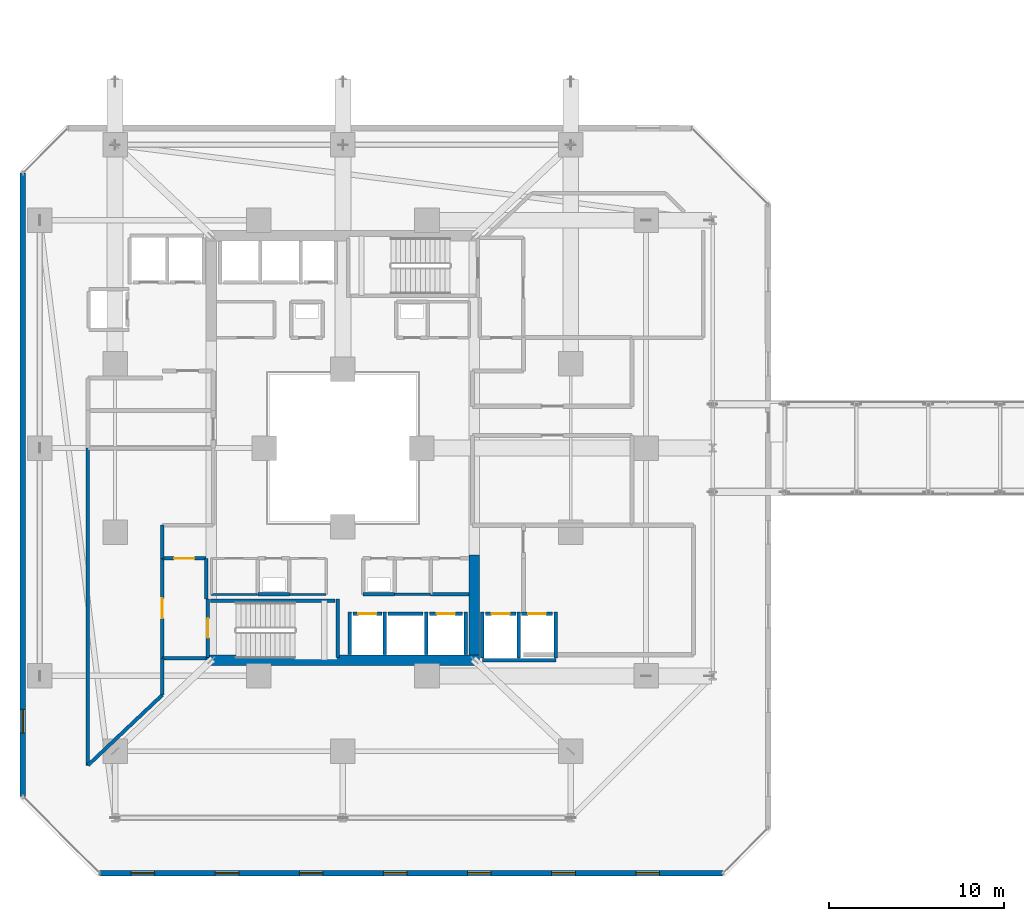
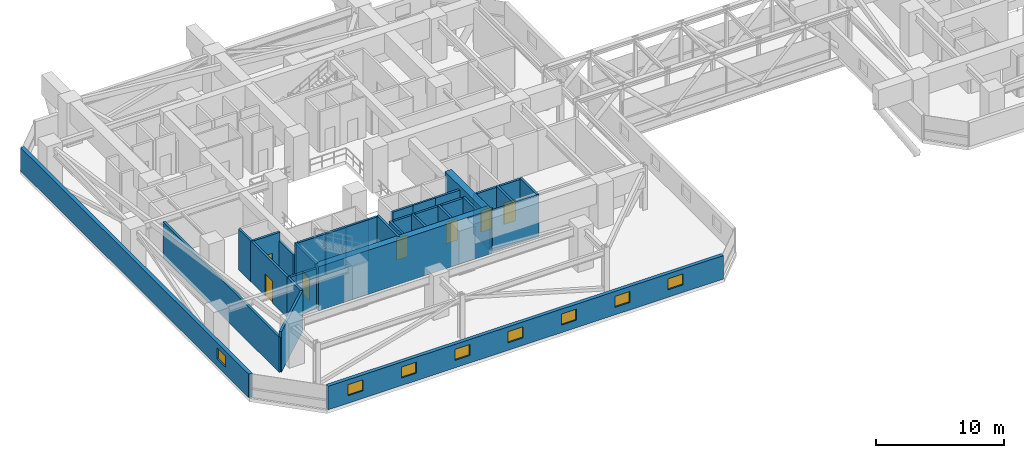
# One storey, part 29 of 38: 34 walls, 8 windows, 7 doors, 15 openings.
"""IFC4 building model written with IfcOpenShell, lengths in metres."""

from ifc_helpers import new_model, si_unit, direction, frame, frame_2d, origin, place, context, subcontext, project, spatial, rectangle, extrude, material, layer, layer_set, type_object, element, fill, save


model = new_model("IFC4")

# Units and contexts
model_context = context("Model", 3, precision=1e-05, world=origin(), true_north=direction((0.0, 1.0)))
body_context = subcontext(model_context, "Body", "Model", "MODEL_VIEW")
ifc_project = project(units=[si_unit("LENGTHUNIT", "METRE"), si_unit("AREAUNIT", "SQUARE_METRE"), si_unit("VOLUMEUNIT", "CUBIC_METRE"), si_unit("PLANEANGLEUNIT", "RADIAN"), si_unit("MASSUNIT", "GRAM", prefix="KILO")], contexts=[model_context])

# Site, building, storey
site_placement = place(None, origin())
site = spatial("IfcSite", under=ifc_project, at=site_placement, CompositionType="ELEMENT")
building_placement = place(site_placement, origin())
building = spatial("IfcBuilding", under=site, at=building_placement, Name="Thornwick Lancets Civic Towers", CompositionType="ELEMENT")
storey_placement = place(building_placement, frame((0.0, 0.0, 71.699951171875)))
storey = spatial("IfcBuildingStorey", under=building, at=storey_placement, Name="L18", CompositionType="ELEMENT", Elevation=71.699951171875)

# Wall, opening, door
ifc_material_1 = material(Name="Concrete blockwork C40/50", Category="masonry")
ifc_layer_1 = layer(ifc_material_1, 0.199951171875, Name="Concrete blockwork C40/50")
ifc_layer_set_1 = layer_set([ifc_layer_1], Name="Concrete blockwork C40/50")
wall_type_1 = type_object("IfcWallType", Name="WALL_COMP_200", PredefinedType="STANDARD", material=ifc_layer_set_1)
wall_1_placement = place(storey_placement, frame((26.080078125, 17.550048828125, 0.0), z_axis=(0.0, 0.0, 1.0), x_axis=(1.0, 0.0, 0.0)))
wall_1 = element("IfcWall", 1, at=wall_1_placement, inside=storey, type_object=wall_type_1, Name="L18 Hoistway Front Wall FL-A1", PredefinedType="STANDARD", context=body_context, shape_type="SweptSolid", body=[
    extrude(rectangle(XDim=1.639892578125, YDim=0.199951171875, at=frame_2d((0.81982421875, 0.0))), origin(), (0.0, 0.0, 1.0), 3.860107421875),
])
opening_1_placement = place(wall_1_placement, frame((0.31005859375, 0.0, 0.0)))
opening_1 = element("IfcOpeningElement", 2, at=opening_1_placement, cuts=wall_1, Name="Opening LD-FL-A1", PredefinedType="OPENING", context=body_context, shape_type="SweptSolid", body=[
    extrude(rectangle(XDim=1.02001953125, YDim=2.06005859375, at=frame_2d((0.510009765625, 1.030029296875))), frame((0.0, 0.10986328125, 0.0), z_axis=(0.0, -1.0, 0.0), x_axis=(1.0, 0.0, 0.0)), (0.0, 0.0, 1.0), 0.219970703125),
])
ifc_material_2 = material(Name="Brushed bronze stainless steel", Category="steel")
door_type_1 = type_object("IfcDoorType", Name="DOOR_LIFT_SLIDE", OperationType="SLIDING_TO_LEFT", PredefinedType="DOOR", material=ifc_material_2)
door_1_placement = place(opening_1_placement, origin())
door_1 = element("IfcDoor", 3, at=door_1_placement, inside=storey, type_object=door_type_1, Name="L18 Sliding Lift Landing Door LD-FL-A1", OperationType="SLIDING_TO_LEFT", OverallHeight=2.06005859375, OverallWidth=1.02001953125, PredefinedType="DOOR", context=body_context, shape_type="SweptSolid", body=[
    extrude(rectangle(XDim=1.02001953125, YDim=2.06005859375, at=frame_2d((0.510009765625, 1.030029296875))), frame((0.0, 0.02490234375, 0.0), z_axis=(0.0, -1.0, 0.0), x_axis=(1.0, 0.0, 0.0)), (0.0, 0.0, 1.0), 0.050048828125),
])
fill(opening_1, door_1)

# Wall
wall_2_placement = place(storey_placement, frame((28.080078125, 17.550048828125, 0.0), z_axis=(0.0, 0.0, 1.0), x_axis=(1.0, 0.0, 0.0)))
element("IfcWall", 4, at=wall_2_placement, inside=storey, type_object=wall_type_1, Name="L18 Hoistway Front Wall PL-AH1", PredefinedType="STANDARD", context=body_context, shape_type="SweptSolid", body=[
    extrude(rectangle(XDim=1.989990234375, YDim=0.199951171875, at=frame_2d((0.9951171875, 0.0))), origin(), (0.0, 0.0, 1.0), 3.860107421875),
])

# Wall, opening, door
wall_3_placement = place(storey_placement, frame((30.429931640625, 17.550048828125, 0.0), z_axis=(0.0, 0.0, 1.0), x_axis=(1.0, 0.0, 0.0)))
wall_3 = element("IfcWall", 5, at=wall_3_placement, inside=storey, type_object=wall_type_1, Name="L18 Hoistway Front Wall PL-AL1", PredefinedType="STANDARD", context=body_context, shape_type="SweptSolid", body=[
    extrude(rectangle(XDim=1.89013671875, YDim=0.199951171875, at=frame_2d((0.945068359375, 0.0))), origin(), (0.0, 0.0, 1.0), 3.860107421875),
])
opening_2_placement = place(wall_3_placement, frame((0.43505859375, 0.0, 0.0)))
opening_2 = element("IfcOpeningElement", 6, at=opening_2_placement, cuts=wall_3, Name="Opening LD-PL-AL1", PredefinedType="OPENING", context=body_context, shape_type="SweptSolid", body=[
    extrude(rectangle(XDim=1.02001953125, YDim=2.06005859375, at=frame_2d((0.510009765625, 1.030029296875))), frame((0.0, 0.10986328125, 0.0), z_axis=(0.0, -1.0, 0.0), x_axis=(1.0, 0.0, 0.0)), (0.0, 0.0, 1.0), 0.219970703125),
])
door_2_placement = place(opening_2_placement, origin())
door_2 = element("IfcDoor", 7, at=door_2_placement, inside=storey, type_object=door_type_1, Name="L18 Sliding Lift Landing Door LD-PL-AL1", OperationType="SLIDING_TO_LEFT", OverallHeight=2.06005859375, OverallWidth=1.02001953125, PredefinedType="DOOR", context=body_context, shape_type="SweptSolid", body=[
    extrude(rectangle(XDim=1.02001953125, YDim=2.06005859375, at=frame_2d((0.510009765625, 1.030029296875))), frame((0.0, 0.02490234375, 0.0), z_axis=(0.0, -1.0, 0.0), x_axis=(1.0, 0.0, 0.0)), (0.0, 0.0, 1.0), 0.050048828125),
])
fill(opening_2, door_2)

wall_4_placement = place(storey_placement, frame((33.6298828125, 17.550048828125, 0.0), z_axis=(0.0, 0.0, 1.0), x_axis=(1.0, 0.0, 0.0)))
wall_4 = element("IfcWall", 8, at=wall_4_placement, inside=storey, type_object=wall_type_1, Name="L18 Hoistway Front Wall PL-AL2", PredefinedType="STANDARD", context=body_context, shape_type="SweptSolid", body=[
    extrude(rectangle(XDim=1.740234375, YDim=0.199951171875, at=frame_2d((0.8701171875, 0.0))), origin(), (0.0, 0.0, 1.0), 3.860107421875),
])
opening_3_placement = place(wall_4_placement, frame((0.360107421875, 0.0, 0.0)))
opening_3 = element("IfcOpeningElement", 9, at=opening_3_placement, cuts=wall_4, Name="Opening LD-PL-AL2", PredefinedType="OPENING", context=body_context, shape_type="SweptSolid", body=[
    extrude(rectangle(XDim=1.02001953125, YDim=2.06005859375, at=frame_2d((0.510009765625, 1.030029296875))), frame((0.0, 0.10986328125, 0.0), z_axis=(0.0, -1.0, 0.0), x_axis=(1.0, 0.0, 0.0)), (0.0, 0.0, 1.0), 0.219970703125),
])
door_3_placement = place(opening_3_placement, origin())
door_3 = element("IfcDoor", 10, at=door_3_placement, inside=storey, type_object=door_type_1, Name="L18 Sliding Lift Landing Door LD-PL-AL2", OperationType="SLIDING_TO_LEFT", OverallHeight=2.06005859375, OverallWidth=1.02001953125, PredefinedType="DOOR", context=body_context, shape_type="SweptSolid", body=[
    extrude(rectangle(XDim=1.02001953125, YDim=2.06005859375, at=frame_2d((0.510009765625, 1.030029296875))), frame((0.0, 0.02490234375, 0.0), z_axis=(0.0, -1.0, 0.0), x_axis=(1.0, 0.0, 0.0)), (0.0, 0.0, 1.0), 0.050048828125),
])
fill(opening_3, door_3)

wall_5_placement = place(storey_placement, frame((35.679931640625, 17.550048828125, 0.0), z_axis=(0.0, 0.0, 1.0), x_axis=(1.0, 0.0, 0.0)))
wall_5 = element("IfcWall", 11, at=wall_5_placement, inside=storey, type_object=wall_type_1, Name="L18 Hoistway Front Wall PL-AL3", PredefinedType="STANDARD", context=body_context, shape_type="SweptSolid", body=[
    extrude(rectangle(XDim=1.7900390625, YDim=0.199951171875, at=frame_2d((0.89501953125, 0.0))), origin(), (0.0, 0.0, 1.0), 3.860107421875),
])
opening_4_placement = place(wall_5_placement, frame((0.385009765625, 0.0, 0.0)))
opening_4 = element("IfcOpeningElement", 12, at=opening_4_placement, cuts=wall_5, Name="Opening LD-PL-AL3", PredefinedType="OPENING", context=body_context, shape_type="SweptSolid", body=[
    extrude(rectangle(XDim=1.02001953125, YDim=2.06005859375, at=frame_2d((0.510009765625, 1.030029296875))), frame((0.0, 0.10986328125, 0.0), z_axis=(0.0, -1.0, 0.0), x_axis=(1.0, 0.0, 0.0)), (0.0, 0.0, 1.0), 0.219970703125),
])
door_4_placement = place(opening_4_placement, origin())
door_4 = element("IfcDoor", 13, at=door_4_placement, inside=storey, type_object=door_type_1, Name="L18 Sliding Lift Landing Door LD-PL-AL3", OperationType="SLIDING_TO_LEFT", OverallHeight=2.06005859375, OverallWidth=1.02001953125, PredefinedType="DOOR", context=body_context, shape_type="SweptSolid", body=[
    extrude(rectangle(XDim=1.02001953125, YDim=2.06005859375, at=frame_2d((0.510009765625, 1.030029296875))), frame((0.0, 0.02490234375, 0.0), z_axis=(0.0, -1.0, 0.0), x_axis=(1.0, 0.0, 0.0)), (0.0, 0.0, 1.0), 0.050048828125),
])
fill(opening_4, door_4)

# Walls
for number, where, z_axis, x_axis, name in (
    (14, (27.89990234375, 15.2119140625, 0.0), (0.0, 0.0, 1.0), (0.0, 1.0, 0.0), "L18 Hoistway Shaft Wall FL-A1 E"),
    (15, (25.89990234375, 15.2119140625, 0.0), (0.0, 0.0, 1.0), (0.0, 1.0, 0.0), "L18 Hoistway Shaft Wall FL-A1 W"),
    (16, (30.25, 15.2119140625, 0.0), (0.0, 0.0, 1.0), (0.0, 1.0, 0.0), "L18 Hoistway Shaft Wall PL-AH1 E"),
    (17, (32.5, 15.2119140625, 0.0), (0.0, 0.0, 1.0), (0.0, 1.0, 0.0), "L18 Hoistway Shaft Wall PL-AL1 E"),
):
    element("IfcWall", number, at=place(storey_placement, frame(where, z_axis=z_axis, x_axis=x_axis)), inside=storey, type_object=wall_type_1, Name=name, PredefinedType="STANDARD", context=body_context, shape_type="SweptSolid", body=[
        extrude(rectangle(XDim=2.43603515625, YDim=0.199951171875, at=frame_2d((1.218017578125, 0.0))), origin(), (0.0, 0.0, 1.0), 3.860107421875),
    ])
wall_6_placement = place(storey_placement, frame((33.451904296875, 14.89990234375, 0.0), z_axis=(0.0, 0.0, 1.0), x_axis=(1.0, 0.0, 0.0)))
element("IfcWall", 18, at=wall_6_placement, inside=storey, type_object=wall_type_1, Name="L18 Hoistway Shaft Wall PL-AL2 S", PredefinedType="STANDARD", context=body_context, shape_type="SweptSolid", body=[
    extrude(rectangle(XDim=4.196044921875, YDim=0.199951171875, at=frame_2d((2.09814453125, 0.0))), origin(), (0.0, 0.0, 1.0), 3.860107421875),
])
for number, where, z_axis, x_axis, name in (
    (19, (35.52490234375, 15.011962890625, 0.0), (0.0, 0.0, 1.0), (0.0, 1.0, 0.0), "L18 Hoistway Shaft Wall PL-AL2 E"),
    (20, (33.449951171875, 15.011962890625, 0.0), (0.0, 0.0, 1.0), (0.0, 1.0, 0.0), "L18 Hoistway Shaft Wall PL-AL2 W"),
    (21, (37.64990234375, 15.011962890625, 0.0), (0.0, 0.0, 1.0), (0.0, 1.0, 0.0), "L18 Hoistway Shaft Wall PL-AL3 E"),
):
    element("IfcWall", number, at=place(storey_placement, frame(where, z_axis=z_axis, x_axis=x_axis)), inside=storey, type_object=wall_type_1, Name=name, PredefinedType="STANDARD", context=body_context, shape_type="SweptSolid", body=[
        extrude(rectangle(XDim=2.635986328125, YDim=0.199951171875, at=frame_2d((1.31787109375, 0.0))), origin(), (0.0, 0.0, 1.0), 3.860107421875),
    ])
wall_7_placement = place(storey_placement, frame((15.199951171875, 15.0, 0.0), z_axis=(0.0, 0.0, 1.0), x_axis=(1.0, 0.0, 0.0)))
element("IfcWall", 22, at=wall_7_placement, inside=storey, type_object=wall_type_1, Name="L18 Partition L18-A-FFLOB1 E1", PredefinedType="STANDARD", context=body_context, shape_type="SweptSolid", body=[
    extrude(rectangle(XDim=2.5, YDim=0.199951171875, at=frame_2d((1.25, 0.0))), origin(), (0.0, 0.0, 1.0), 3.860107421875),
])
wall_8_placement = place(storey_placement, frame((17.699951171875, 18.39990234375, 0.0), z_axis=(0.0, 0.0, 1.0), x_axis=(0.0, 1.0, 0.0)))
element("IfcWall", 23, at=wall_8_placement, inside=storey, type_object=wall_type_1, Name="L18 Partition L18-A-FFLOB1 E2", PredefinedType="STANDARD", context=body_context, shape_type="SweptSolid", body=[
    extrude(rectangle(XDim=2.300048828125, YDim=0.199951171875, at=frame_2d((1.14990234375, 0.0))), origin(), (0.0, 0.0, 1.0), 3.06494140625),
])

# Wall, opening, door
wall_9_placement = place(storey_placement, frame((17.699951171875, 20.699951171875, 0.0), z_axis=(0.0, 0.0, 1.0), x_axis=(-1.0, 0.0, 0.0)))
wall_9 = element("IfcWall", 24, at=wall_9_placement, inside=storey, type_object=wall_type_1, Name="L18 Partition L18-A-FFLOB1 E3", PredefinedType="STANDARD", context=body_context, shape_type="SweptSolid", body=[
    extrude(rectangle(XDim=2.5, YDim=0.199951171875, at=frame_2d((1.25, 0.0))), origin(), (0.0, 0.0, 1.0), 3.860107421875),
])
opening_5_placement = place(wall_9_placement, frame((0.675048828125, 0.0, 0.0)))
opening_5 = element("IfcOpeningElement", 25, at=opening_5_placement, cuts=wall_9, Name="Opening D-L18-0849", PredefinedType="OPENING", context=body_context, shape_type="SweptSolid", body=[
    extrude(rectangle(XDim=1.14990234375, YDim=2.10009765625, at=frame_2d((0.574951171875, 1.050048828125))), frame((0.0, 0.10986328125, 0.0), z_axis=(0.0, -1.0, 0.0), x_axis=(1.0, 0.0, 0.0)), (0.0, 0.0, 1.0), 0.219970703125),
])
ifc_material_3 = material(Name="Glazed fire-resisting steel", Category="steel")
door_type_2 = type_object("IfcDoorType", Name="DOOR_LOBBY_FD60", OperationType="NOTDEFINED", PredefinedType="DOOR", material=ifc_material_3)
door_5_placement = place(opening_5_placement, origin())
door_5 = element("IfcDoor", 26, at=door_5_placement, inside=storey, type_object=door_type_2, Name="L18 South Firefighting Lobby 1 Door", OperationType="SINGLE_SWING_RIGHT", OverallHeight=2.10009765625, OverallWidth=1.14990234375, PredefinedType="DOOR", context=body_context, shape_type="SweptSolid", body=[
    extrude(rectangle(XDim=1.14990234375, YDim=2.10009765625, at=frame_2d((0.574951171875, 1.050048828125))), frame((0.0, 0.02490234375, 0.0), z_axis=(0.0, -1.0, 0.0), x_axis=(1.0, 0.0, 0.0)), (0.0, 0.0, 1.0), 0.050048828125),
])
fill(opening_5, door_5)

wall_10_placement = place(storey_placement, frame((15.199951171875, 20.699951171875, 0.0), z_axis=(0.0, 0.0, 1.0), x_axis=(0.0, -1.0, 0.0)))
wall_10 = element("IfcWall", 27, at=wall_10_placement, inside=storey, type_object=wall_type_1, Name="L18 Partition L18-A-FFLOB1 E4", PredefinedType="STANDARD", context=body_context, shape_type="SweptSolid", body=[
    extrude(rectangle(XDim=5.699951171875, YDim=0.199951171875, at=frame_2d((2.85009765625, 0.0))), origin(), (0.0, 0.0, 1.0), 3.860107421875),
])
opening_6_placement = place(wall_10_placement, frame((2.27490234375, 0.0, 0.0)))
opening_6 = element("IfcOpeningElement", 28, at=opening_6_placement, cuts=wall_10, Name="Opening D-L18-0875", PredefinedType="OPENING", context=body_context, shape_type="SweptSolid", body=[
    extrude(rectangle(XDim=1.14990234375, YDim=2.10009765625, at=frame_2d((0.574951171875, 1.050048828125))), frame((0.0, 0.10986328125, 0.0), z_axis=(0.0, -1.0, 0.0), x_axis=(1.0, 0.0, 0.0)), (0.0, 0.0, 1.0), 0.219970703125),
])
door_6_placement = place(opening_6_placement, origin())
door_6 = element("IfcDoor", 29, at=door_6_placement, inside=storey, type_object=door_type_2, Name="L18 Tower A Refuge Holding Area 1 Door", OperationType="SINGLE_SWING_RIGHT", OverallHeight=2.10009765625, OverallWidth=1.14990234375, PredefinedType="DOOR", context=body_context, shape_type="SweptSolid", body=[
    extrude(rectangle(XDim=1.14990234375, YDim=2.10009765625, at=frame_2d((0.574951171875, 1.050048828125))), frame((0.0, 0.02490234375, 0.0), z_axis=(0.0, -1.0, 0.0), x_axis=(1.0, 0.0, 0.0)), (0.0, 0.0, 1.0), 0.050048828125),
])
fill(opening_6, door_6)

# Walls
for number, where, z_axis, x_axis, name in (
    (30, (26.64990234375, 18.64990234375, 0.0), (0.0, 0.0, 1.0), (1.0, 0.0, 0.0), "L18 Partition L18-A-DUCT1 E1"),
    (31, (20.64990234375, 18.64990234375, 0.0), (0.0, 0.0, 1.0), (1.0, 0.0, 0.0), "L18 Partition L18-A-RISER1 E1"),
):
    element("IfcWall", number, at=place(storey_placement, frame(where, z_axis=z_axis, x_axis=x_axis)), inside=storey, type_object=wall_type_1, Name=name, PredefinedType="STANDARD", context=body_context, shape_type="SweptSolid", body=[
        extrude(rectangle(XDim=1.800048828125, YDim=0.199951171875, at=frame_2d((0.89990234375, 0.0))), origin(), (0.0, 0.0, 1.0), 3.860107421875),
    ])
wall_11_placement = place(storey_placement, frame((32.699951171875, 18.64990234375, 0.0), z_axis=(0.0, 0.0, 1.0), x_axis=(-1.0, 0.0, 0.0)))
element("IfcWall", 32, at=wall_11_placement, inside=storey, type_object=wall_type_1, Name="L18 Partition L18-A-STR2 E2", PredefinedType="STANDARD", context=body_context, shape_type="SweptSolid", body=[
    extrude(rectangle(XDim=2.199951171875, YDim=0.199951171875, at=frame_2d((1.10009765625, 0.0))), origin(), (0.0, 0.0, 1.0), 3.860107421875),
])
wall_12_placement = place(storey_placement, frame((15.199951171875, 22.60009765625, 0.0), z_axis=(0.0, 0.0, 1.0), x_axis=(0.0, -1.0, 0.0)))
element("IfcWall", 33, at=wall_12_placement, inside=storey, type_object=wall_type_1, Name="L18 Partition L18-A-REF1 E2", PredefinedType="STANDARD", context=body_context, shape_type="SweptSolid", body=[
    extrude(rectangle(XDim=1.900146484375, YDim=0.199951171875, at=frame_2d((0.9501953125, 0.0))), origin(), (0.0, 0.0, 1.0), 3.860107421875),
])
wall_13_placement = place(storey_placement, frame((15.199951171875, 15.0, 0.0), z_axis=(0.0, 0.0, 1.0), x_axis=(0.0, -1.0, 0.0)))
element("IfcWall", 34, at=wall_13_placement, inside=storey, type_object=wall_type_1, Name="L18 Partition L18-A-REF1 E4", PredefinedType="STANDARD", context=body_context, shape_type="SweptSolid", body=[
    extrude(rectangle(XDim=2.086669921875, YDim=0.199951171875, at=frame_2d((1.04345703125, 0.0))), origin(), (0.0, 0.0, 1.0), 3.860107421875),
])
wall_14_placement = place(storey_placement, frame((15.199951171875, 12.913330078125, 0.0), z_axis=(0.0, 0.0, 1.0), x_axis=(-0.726635667089, -0.687023003482, 0.0)))
element("IfcWall", 35, at=wall_14_placement, inside=storey, type_object=wall_type_1, Name="L18 Partition L18-A-REF1 E5", PredefinedType="STANDARD", context=body_context, shape_type="SweptSolid", body=[
    extrude(rectangle(XDim=5.848876953125, YDim=0.199951171875, at=frame_2d((2.92431640625, 0.0))), origin(), (0.0, 0.0, 1.0), 3.860107421875),
])
wall_15_placement = place(storey_placement, frame((10.949951171875, 8.89501953125, 0.0), z_axis=(0.0, 0.0, 1.0), x_axis=(0.0, 1.0, 0.0)))
element("IfcWall", 36, at=wall_15_placement, inside=storey, type_object=wall_type_1, Name="L18 Partition L18-A-REF1 E6", PredefinedType="STANDARD", context=body_context, shape_type="SweptSolid", body=[
    extrude(rectangle(XDim=18.10498046875, YDim=0.199951171875, at=frame_2d((9.052490234375, 0.0))), origin(), (0.0, 0.0, 1.0), 3.364990234375),
])
ifc_material_4 = material(Name="Concrete C60/75", Category="concrete")
ifc_layer_2 = layer(ifc_material_4, 0.60009765625, Name="Concrete C60/75")
ifc_layer_set_2 = layer_set([ifc_layer_2], Name="Concrete C60/75")
wall_type_2 = type_object("IfcWallType", Name="WALL_CORE_600", PredefinedType="SHEAR", material=ifc_layer_set_2)
wall_16_placement = place(storey_placement, frame((17.699951171875, 14.89990234375, 0.0), z_axis=(0.0, 0.0, 1.0), x_axis=(1.0, 0.0, 0.0)))
element("IfcWall", 37, at=wall_16_placement, inside=storey, type_object=wall_type_2, Name="L18 Split Core A1 Shear Wall S", PredefinedType="SHEAR", context=body_context, shape_type="SweptSolid", body=[
    extrude(rectangle(XDim=15.60009765625, YDim=0.60009765625, at=frame_2d((7.800048828125, 0.0))), origin(), (0.0, 0.0, 1.0), 4.199951171875),
])
wall_17_placement = place(storey_placement, frame((33.0, 15.199951171875, 0.0), z_axis=(0.0, 0.0, 1.0), x_axis=(0.0, 1.0, 0.0)))
element("IfcWall", 38, at=wall_17_placement, inside=storey, type_object=wall_type_2, Name="L18 Split Core A1 Shear Wall E", PredefinedType="SHEAR", context=body_context, shape_type="SweptSolid", body=[
    extrude(rectangle(XDim=5.699951171875, YDim=0.60009765625, at=frame_2d((2.85009765625, 0.0))), origin(), (0.0, 0.0, 1.0), 4.199951171875),
])

# Wall, openings, windows
ifc_material_5 = material(Name="Insulated buff terracotta rainscreen on concrete C40/50", Category="masonry")
ifc_layer_3 = layer(ifc_material_5, 0.320068359375, Name="Insulated buff terracotta rainscreen on concrete C40/50")
ifc_layer_set_3 = layer_set([ifc_layer_3], Name="Insulated buff terracotta rainscreen on concrete C40/50")
wall_type_3 = type_object("IfcWallType", Name="WALL_EXT_TERRA_320", PredefinedType="STANDARD", material=ifc_layer_set_3)
wall_18_placement = place(storey_placement, frame((11.612060546875, 2.740966796875, 0.0), z_axis=(0.0, 0.0, 1.0), x_axis=(0.999999986432, -0.000164732205, 0.0)))
wall_18 = element("IfcWall", 39, at=wall_18_placement, inside=storey, type_object=wall_type_3, Name="L18 Tower A Terracotta Facade Wall E0", PredefinedType="STANDARD", context=body_context, shape_type="SweptSolid", body=[
    extrude(rectangle(XDim=35.569091796875, YDim=0.320068359375, at=frame_2d((17.78466796875, 0.0))), origin(), (0.0, 0.0, 1.0), 2.239990234375),
])
opening_7_placement = place(wall_18_placement, frame((1.800048828125, 0.0, 0.719970703125)))
opening_7 = element("IfcOpeningElement", 40, at=opening_7_placement, cuts=wall_18, Name="Opening WL-03", PredefinedType="OPENING", context=body_context, shape_type="SweptSolid", body=[
    extrude(rectangle(XDim=1.35009765625, YDim=1.050048828125, at=frame_2d((0.675048828125, 0.52490234375))), frame((0.0, 0.169921875, 0.0), z_axis=(0.0, -1.0, 0.0), x_axis=(1.0, 0.0, 0.0)), (0.0, 0.0, 1.0), 0.340087890625),
])
opening_8_placement = place(wall_18_placement, frame((6.60009765625, 0.0, 0.719970703125)))
opening_8 = element("IfcOpeningElement", 41, at=opening_8_placement, cuts=wall_18, Name="Opening WL-03", PredefinedType="OPENING", context=body_context, shape_type="SweptSolid", body=[
    extrude(rectangle(XDim=1.35009765625, YDim=1.050048828125, at=frame_2d((0.675048828125, 0.52490234375))), frame((0.0, 0.169921875, 0.0), z_axis=(0.0, -1.0, 0.0), x_axis=(1.0, 0.0, 0.0)), (0.0, 0.0, 1.0), 0.340087890625),
])
opening_9_placement = place(wall_18_placement, frame((11.39990234375, 0.0, 0.719970703125)))
opening_9 = element("IfcOpeningElement", 42, at=opening_9_placement, cuts=wall_18, Name="Opening WL-03", PredefinedType="OPENING", context=body_context, shape_type="SweptSolid", body=[
    extrude(rectangle(XDim=1.35009765625, YDim=1.050048828125, at=frame_2d((0.675048828125, 0.52490234375))), frame((0.0, 0.169921875, 0.0), z_axis=(0.0, -1.0, 0.0), x_axis=(1.0, 0.0, 0.0)), (0.0, 0.0, 1.0), 0.340087890625),
])
opening_10_placement = place(wall_18_placement, frame((16.199951171875, 0.0, 0.719970703125)))
opening_10 = element("IfcOpeningElement", 43, at=opening_10_placement, cuts=wall_18, Name="Opening WL-03", PredefinedType="OPENING", context=body_context, shape_type="SweptSolid", body=[
    extrude(rectangle(XDim=1.35009765625, YDim=1.050048828125, at=frame_2d((0.675048828125, 0.52490234375))), frame((0.0, 0.169921875, 0.0), z_axis=(0.0, -1.0, 0.0), x_axis=(1.0, 0.0, 0.0)), (0.0, 0.0, 1.0), 0.340087890625),
])
opening_11_placement = place(wall_18_placement, frame((21.0, 0.0, 0.719970703125)))
opening_11 = element("IfcOpeningElement", 44, at=opening_11_placement, cuts=wall_18, Name="Opening WL-03", PredefinedType="OPENING", context=body_context, shape_type="SweptSolid", body=[
    extrude(rectangle(XDim=1.35009765625, YDim=1.050048828125, at=frame_2d((0.675048828125, 0.52490234375))), frame((0.0, 0.169921875, 0.0), z_axis=(0.0, -1.0, 0.0), x_axis=(1.0, 0.0, 0.0)), (0.0, 0.0, 1.0), 0.340087890625),
])
opening_12_placement = place(wall_18_placement, frame((25.800048828125, 0.0, 0.719970703125)))
opening_12 = element("IfcOpeningElement", 45, at=opening_12_placement, cuts=wall_18, Name="Opening WL-03", PredefinedType="OPENING", context=body_context, shape_type="SweptSolid", body=[
    extrude(rectangle(XDim=1.35009765625, YDim=1.050048828125, at=frame_2d((0.675048828125, 0.52490234375))), frame((0.0, 0.169921875, 0.0), z_axis=(0.0, -1.0, 0.0), x_axis=(1.0, 0.0, 0.0)), (0.0, 0.0, 1.0), 0.340087890625),
])
opening_13_placement = place(wall_18_placement, frame((30.60009765625, 0.0, 0.719970703125)))
opening_13 = element("IfcOpeningElement", 46, at=opening_13_placement, cuts=wall_18, Name="Opening WL-03", PredefinedType="OPENING", context=body_context, shape_type="SweptSolid", body=[
    extrude(rectangle(XDim=1.35009765625, YDim=1.050048828125, at=frame_2d((0.675048828125, 0.52490234375))), frame((0.0, 0.169921875, 0.0), z_axis=(0.0, -1.0, 0.0), x_axis=(1.0, 0.0, 0.0)), (0.0, 0.0, 1.0), 0.340087890625),
])
ifc_material_6 = material(Name="Clear low-e double glazing clerestory lancet", Category="glass")
window_type = type_object("IfcWindowType", Name="WIN_LANCET_1350", PartitioningType="SINGLE_PANEL", PredefinedType="WINDOW", material=ifc_material_6)
window_1_placement = place(opening_7_placement, origin())
window_1 = element("IfcWindow", 47, at=window_1_placement, inside=storey, type_object=window_type, Name="L18 Tower A Staggered Lancet Window E0-1", OverallHeight=1.050048828125, OverallWidth=1.35009765625, PartitioningType="SINGLE_PANEL", PredefinedType="WINDOW", context=body_context, shape_type="SweptSolid", body=[
    extrude(rectangle(XDim=1.35009765625, YDim=1.050048828125, at=frame_2d((0.675048828125, 0.52490234375))), frame((0.0, 0.030029296875, 0.0), z_axis=(0.0, -1.0, 0.0), x_axis=(1.0, 0.0, 0.0)), (0.0, 0.0, 1.0), 0.06005859375),
])
fill(opening_7, window_1)
window_2_placement = place(opening_8_placement, origin())
window_2 = element("IfcWindow", 48, at=window_2_placement, inside=storey, type_object=window_type, Name="L18 Tower A Staggered Lancet Window E0-2", OverallHeight=1.050048828125, OverallWidth=1.35009765625, PartitioningType="SINGLE_PANEL", PredefinedType="WINDOW", context=body_context, shape_type="SweptSolid", body=[
    extrude(rectangle(XDim=1.35009765625, YDim=1.050048828125, at=frame_2d((0.675048828125, 0.52490234375))), frame((0.0, 0.030029296875, 0.0), z_axis=(0.0, -1.0, 0.0), x_axis=(1.0, 0.0, 0.0)), (0.0, 0.0, 1.0), 0.06005859375),
])
fill(opening_8, window_2)
window_3_placement = place(opening_9_placement, origin())
window_3 = element("IfcWindow", 49, at=window_3_placement, inside=storey, type_object=window_type, Name="L18 Tower A Staggered Lancet Window E0-3", OverallHeight=1.050048828125, OverallWidth=1.35009765625, PartitioningType="SINGLE_PANEL", PredefinedType="WINDOW", context=body_context, shape_type="SweptSolid", body=[
    extrude(rectangle(XDim=1.35009765625, YDim=1.050048828125, at=frame_2d((0.675048828125, 0.52490234375))), frame((0.0, 0.030029296875, 0.0), z_axis=(0.0, -1.0, 0.0), x_axis=(1.0, 0.0, 0.0)), (0.0, 0.0, 1.0), 0.06005859375),
])
fill(opening_9, window_3)
window_4_placement = place(opening_10_placement, origin())
window_4 = element("IfcWindow", 50, at=window_4_placement, inside=storey, type_object=window_type, Name="L18 Tower A Staggered Lancet Window E0-4", OverallHeight=1.050048828125, OverallWidth=1.35009765625, PartitioningType="SINGLE_PANEL", PredefinedType="WINDOW", context=body_context, shape_type="SweptSolid", body=[
    extrude(rectangle(XDim=1.35009765625, YDim=1.050048828125, at=frame_2d((0.675048828125, 0.52490234375))), frame((0.0, 0.030029296875, 0.0), z_axis=(0.0, -1.0, 0.0), x_axis=(1.0, 0.0, 0.0)), (0.0, 0.0, 1.0), 0.06005859375),
])
fill(opening_10, window_4)
window_5_placement = place(opening_11_placement, origin())
window_5 = element("IfcWindow", 51, at=window_5_placement, inside=storey, type_object=window_type, Name="L18 Tower A Staggered Lancet Window E0-5", OverallHeight=1.050048828125, OverallWidth=1.35009765625, PartitioningType="SINGLE_PANEL", PredefinedType="WINDOW", context=body_context, shape_type="SweptSolid", body=[
    extrude(rectangle(XDim=1.35009765625, YDim=1.050048828125, at=frame_2d((0.675048828125, 0.52490234375))), frame((0.0, 0.030029296875, 0.0), z_axis=(0.0, -1.0, 0.0), x_axis=(1.0, 0.0, 0.0)), (0.0, 0.0, 1.0), 0.06005859375),
])
fill(opening_11, window_5)
window_6_placement = place(opening_12_placement, origin())
window_6 = element("IfcWindow", 52, at=window_6_placement, inside=storey, type_object=window_type, Name="L18 Tower A Staggered Lancet Window E0-6", OverallHeight=1.050048828125, OverallWidth=1.35009765625, PartitioningType="SINGLE_PANEL", PredefinedType="WINDOW", context=body_context, shape_type="SweptSolid", body=[
    extrude(rectangle(XDim=1.35009765625, YDim=1.050048828125, at=frame_2d((0.675048828125, 0.52490234375))), frame((0.0, 0.030029296875, 0.0), z_axis=(0.0, -1.0, 0.0), x_axis=(1.0, 0.0, 0.0)), (0.0, 0.0, 1.0), 0.06005859375),
])
fill(opening_12, window_6)
window_7_placement = place(opening_13_placement, origin())
window_7 = element("IfcWindow", 53, at=window_7_placement, inside=storey, type_object=window_type, Name="L18 Tower A Staggered Lancet Window E0-7", OverallHeight=1.050048828125, OverallWidth=1.35009765625, PartitioningType="SINGLE_PANEL", PredefinedType="WINDOW", context=body_context, shape_type="SweptSolid", body=[
    extrude(rectangle(XDim=1.35009765625, YDim=1.050048828125, at=frame_2d((0.675048828125, 0.52490234375))), frame((0.0, 0.030029296875, 0.0), z_axis=(0.0, -1.0, 0.0), x_axis=(1.0, 0.0, 0.0)), (0.0, 0.0, 1.0), 0.06005859375),
])
fill(opening_13, window_7)

# Wall, opening, window
wall_19_placement = place(storey_placement, frame((7.235107421875, 42.68115234375, 0.0), z_axis=(0.0, 0.0, 1.0), x_axis=(0.000164732205, -0.999999986432, 0.0)))
wall_19 = element("IfcWall", 54, at=wall_19_placement, inside=storey, type_object=wall_type_3, Name="L18 Tower A Terracotta Facade Wall E6", PredefinedType="STANDARD", context=body_context, shape_type="SweptSolid", body=[
    extrude(rectangle(XDim=35.569091796875, YDim=0.320068359375, at=frame_2d((17.78466796875, 0.0))), origin(), (0.0, 0.0, 1.0), 2.239990234375),
])
opening_14_placement = place(wall_19_placement, frame((30.60009765625, 0.0, 0.719970703125)))
opening_14 = element("IfcOpeningElement", 55, at=opening_14_placement, cuts=wall_19, Name="Opening WL-03", PredefinedType="OPENING", context=body_context, shape_type="SweptSolid", body=[
    extrude(rectangle(XDim=1.35009765625, YDim=1.050048828125, at=frame_2d((0.675048828125, 0.52490234375))), frame((0.0, 0.169921875, 0.0), z_axis=(0.0, -1.0, 0.0), x_axis=(1.0, 0.0, 0.0)), (0.0, 0.0, 1.0), 0.340087890625),
])
window_8_placement = place(opening_14_placement, origin())
window_8 = element("IfcWindow", 56, at=window_8_placement, inside=storey, type_object=window_type, Name="L18 Tower A Staggered Lancet Window E6-1", OverallHeight=1.050048828125, OverallWidth=1.35009765625, PartitioningType="SINGLE_PANEL", PredefinedType="WINDOW", context=body_context, shape_type="SweptSolid", body=[
    extrude(rectangle(XDim=1.35009765625, YDim=1.050048828125, at=frame_2d((0.675048828125, 0.52490234375))), frame((0.0, 0.030029296875, 0.0), z_axis=(0.0, -1.0, 0.0), x_axis=(1.0, 0.0, 0.0)), (0.0, 0.0, 1.0), 0.06005859375),
])
fill(opening_14, window_8)

# Walls
ifc_material_7 = material(Name="Lightweight cellular office partition")
ifc_layer_4 = layer(ifc_material_7, 0.10009765625, Name="Lightweight cellular office partition")
ifc_layer_set_4 = layer_set([ifc_layer_4], Name="Lightweight cellular office partition")
wall_type_4 = type_object("IfcWallType", Name="WALL_PART_100", PredefinedType="PARTITIONING", material=ifc_layer_set_4)
wall_20_placement = place(storey_placement, frame((18.0, 18.64990234375, 0.0), z_axis=(0.0, 0.0, 1.0), x_axis=(1.0, 0.0, 0.0)))
element("IfcWall", 57, at=wall_20_placement, inside=storey, type_object=wall_type_4, Name="L18 Partition L18-A-CLN E1", PredefinedType="PARTITIONING", context=body_context, shape_type="SweptSolid", body=[
    extrude(rectangle(XDim=2.60009765625, YDim=0.10009765625, at=frame_2d((1.300048828125, 0.0))), origin(), (0.0, 0.0, 1.0), 3.860107421875),
])
ifc_material_8 = material(Name="Acoustic gypsum board partition")
ifc_layer_5 = layer(ifc_material_8, 0.1201171875, Name="Acoustic gypsum board partition")
ifc_layer_set_5 = layer_set([ifc_layer_5], Name="Acoustic gypsum board partition")
wall_type_5 = type_object("IfcWallType", Name="WALL_PART_120", PredefinedType="PARTITIONING", material=ifc_layer_set_5)
wall_21_placement = place(storey_placement, frame((24.550048828125, 18.64990234375, 0.0), z_axis=(0.0, 0.0, 1.0), x_axis=(-1.0, 0.0, 0.0)))
element("IfcWall", 58, at=wall_21_placement, inside=storey, type_object=wall_type_5, Name="L18 Partition L18-A-ITR E2", PredefinedType="PARTITIONING", context=body_context, shape_type="SweptSolid", body=[
    extrude(rectangle(XDim=2.10009765625, YDim=0.1201171875, at=frame_2d((1.050048828125, 0.0))), origin(), (0.0, 0.0, 1.0), 3.860107421875),
])
ifc_material_9 = material(Name="Twin-stud acoustic gypsum board")
ifc_layer_6 = layer(ifc_material_9, 0.14990234375, Name="Twin-stud acoustic gypsum board")
ifc_layer_set_6 = layer_set([ifc_layer_6], Name="Twin-stud acoustic gypsum board")
wall_type_6 = type_object("IfcWallType", Name="WALL_PART_150", PredefinedType="PARTITIONING", material=ifc_layer_set_6)
wall_22_placement = place(storey_placement, frame((30.5, 18.64990234375, 0.0), z_axis=(0.0, 0.0, 1.0), x_axis=(-1.0, 0.0, 0.0)))
element("IfcWall", 59, at=wall_22_placement, inside=storey, type_object=wall_type_6, Name="L18 Partition L18-A-AWC E2", PredefinedType="PARTITIONING", context=body_context, shape_type="SweptSolid", body=[
    extrude(rectangle(XDim=2.050048828125, YDim=0.14990234375, at=frame_2d((1.02490234375, 0.0))), origin(), (0.0, 0.0, 1.0), 3.860107421875),
])

# Wall, opening, door
ifc_material_10 = material(Name="Concrete C40/50", Category="concrete")
ifc_layer_7 = layer(ifc_material_10, 0.199951171875, Name="Concrete C40/50")
ifc_layer_set_7 = layer_set([ifc_layer_7], Name="Concrete C40/50")
wall_type_7 = type_object("IfcWallType", Name="WALL_SHAFT_200", PredefinedType="SHEAR", material=ifc_layer_set_7)
wall_23_placement = place(storey_placement, frame((17.800048828125, 15.050048828125, 0.0), z_axis=(0.0, 0.0, 1.0), x_axis=(0.0, 1.0, 0.0)))
wall_23 = element("IfcWall", 60, at=wall_23_placement, inside=storey, type_object=wall_type_7, Name="L18 ST-A1 Fire Stair Core Wall NEAR", PredefinedType="SHEAR", context=body_context, shape_type="SweptSolid", body=[
    extrude(rectangle(XDim=3.349853515625, YDim=0.199951171875, at=frame_2d((1.6748046875, 0.0))), origin(), (0.0, 0.0, 1.0), 4.199951171875),
])
opening_15_placement = place(wall_23_placement, frame((1.125, 0.0, 0.0)))
opening_15 = element("IfcOpeningElement", 61, at=opening_15_placement, cuts=wall_23, Name="Opening D-ST-A1-L18", PredefinedType="OPENING", context=body_context, shape_type="SweptSolid", body=[
    extrude(rectangle(XDim=1.10009765625, YDim=2.10009765625, at=frame_2d((0.550048828125, 1.050048828125))), frame((0.0, 0.10986328125, 0.0), z_axis=(0.0, -1.0, 0.0), x_axis=(1.0, 0.0, 0.0)), (0.0, 0.0, 1.0), 0.219970703125),
])
ifc_material_11 = material(Name="Fire-resisting steel and hardwood", Category="steel")
door_type_3 = type_object("IfcDoorType", Name="DOOR_STAIR_FD60", OperationType="NOTDEFINED", PredefinedType="DOOR", material=ifc_material_11)
door_7_placement = place(opening_15_placement, origin())
door_7 = element("IfcDoor", 62, at=door_7_placement, inside=storey, type_object=door_type_3, Name="L18 ST-A1 Exit Stair Door", OperationType="SINGLE_SWING_RIGHT", OverallHeight=2.10009765625, OverallWidth=1.10009765625, PredefinedType="DOOR", context=body_context, shape_type="SweptSolid", body=[
    extrude(rectangle(XDim=1.10009765625, YDim=2.10009765625, at=frame_2d((0.550048828125, 1.050048828125))), frame((0.0, 0.02490234375, 0.0), z_axis=(0.0, -1.0, 0.0), x_axis=(1.0, 0.0, 0.0)), (0.0, 0.0, 1.0), 0.050048828125),
])
fill(opening_15, door_7)

# Walls
wall_24_placement = place(storey_placement, frame((25.199951171875, 18.39990234375, 0.0), z_axis=(0.0, 0.0, 1.0), x_axis=(0.0, -1.0, 0.0)))
element("IfcWall", 63, at=wall_24_placement, inside=storey, type_object=wall_type_7, Name="L18 ST-A1 Fire Stair Core Wall FAR", PredefinedType="SHEAR", context=body_context, shape_type="SweptSolid", body=[
    extrude(rectangle(XDim=3.349853515625, YDim=0.199951171875, at=frame_2d((1.6748046875, 0.0))), origin(), (0.0, 0.0, 1.0), 4.199951171875),
])
wall_25_placement = place(storey_placement, frame((25.050048828125, 18.297119140625, 0.0), z_axis=(0.0, 0.0, 1.0), x_axis=(-1.0, 0.0, 0.0)))
element("IfcWall", 64, at=wall_25_placement, inside=storey, type_object=wall_type_7, Name="L18 ST-A1 Fire Stair Core Wall RIGHT", PredefinedType="SHEAR", context=body_context, shape_type="SweptSolid", body=[
    extrude(rectangle(XDim=7.10009765625, YDim=0.199951171875, at=frame_2d((3.550048828125, 0.0))), origin(), (0.0, 0.0, 1.0), 4.199951171875),
])

save(model, "model.ifc")
